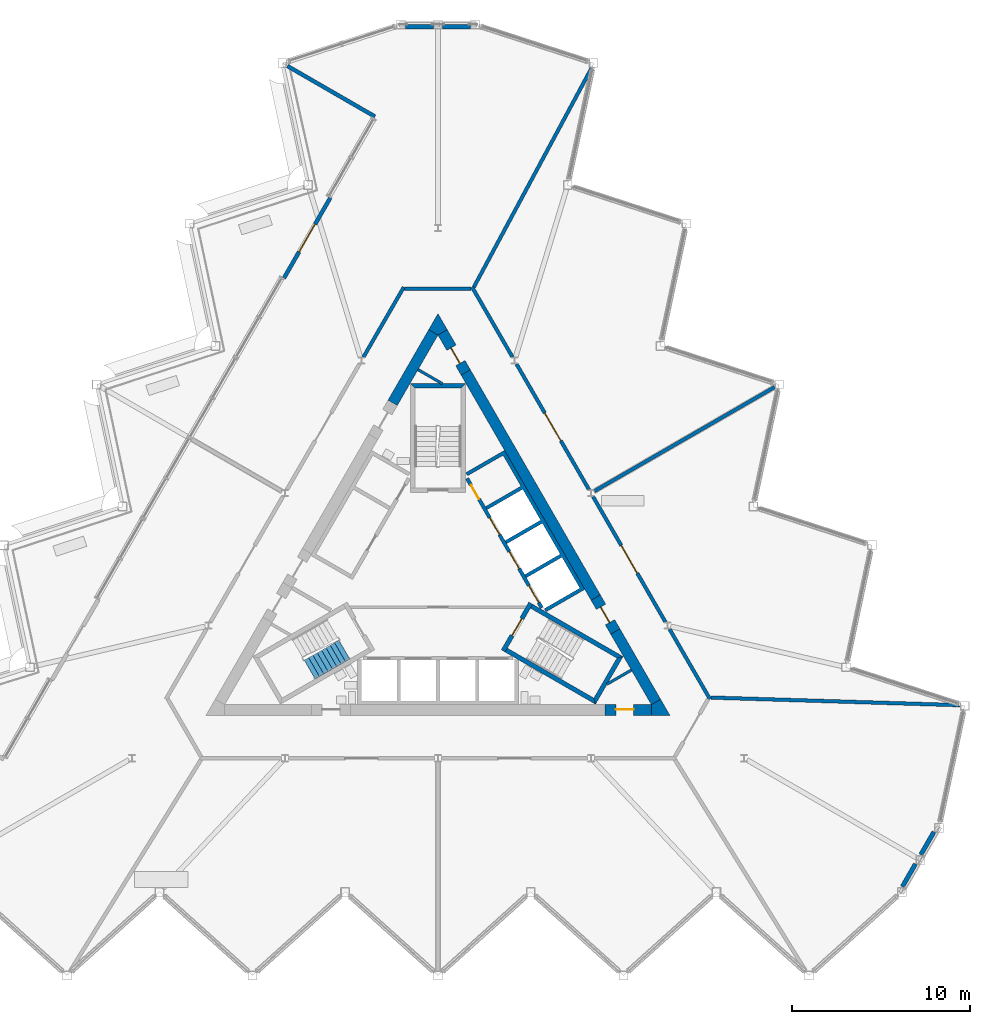
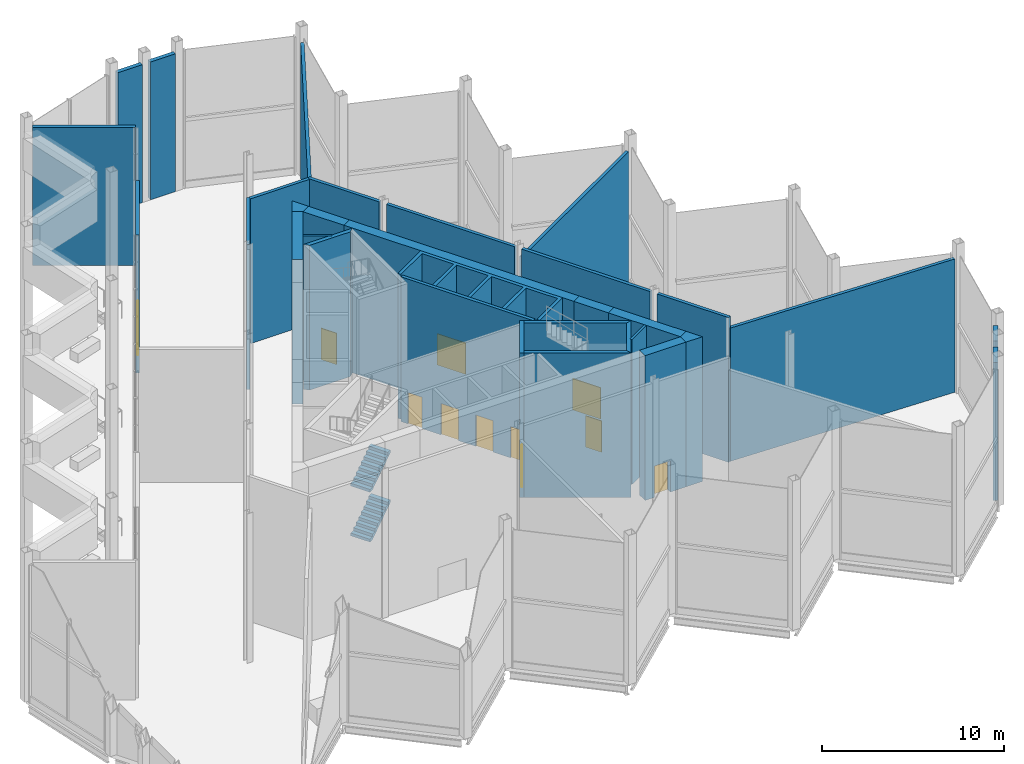
# One storey, part 10 of 18: 32 walls, 11 doors, 2 stair flights, 11 openings, 1 element without a shape of its own.
"""IFC4 building model written with IfcOpenShell, lengths in metres."""

from ifc_helpers import new_model, si_unit, direction, frame, frame_2d, origin, place, context, subcontext, project, spatial, polyline, rectangle, outline, extrude, material, layer, layer_set, type_object, element, fill, aggregate, save


model = new_model("IFC4")

# Units and contexts
model_context = context("Model", 3, precision=1e-05, world=origin(), true_north=direction((0.0, 1.0)))
body_context = subcontext(model_context, "Body", "Model", "MODEL_VIEW")
ifc_project = project(units=[si_unit("LENGTHUNIT", "METRE"), si_unit("AREAUNIT", "SQUARE_METRE"), si_unit("VOLUMEUNIT", "CUBIC_METRE"), si_unit("PLANEANGLEUNIT", "RADIAN"), si_unit("MASSUNIT", "GRAM", prefix="KILO")], contexts=[model_context])

# Site, building, storey
site_placement = place(None, origin())
site = spatial("IfcSite", under=ifc_project, at=site_placement, CompositionType="ELEMENT")
building_placement = place(site_placement, origin())
building = spatial("IfcBuilding", under=site, at=building_placement, Name="Cormorant Prow Tower", CompositionType="ELEMENT")
storey_placement = place(building_placement, frame((0.0, 0.0, 405.199951171875)))
storey = spatial("IfcBuildingStorey", under=building, at=storey_placement, Name="L93", CompositionType="ELEMENT", Elevation=405.199951171875)

# Walls
ifc_material_1 = material(Name="Gypsum board partition")
ifc_layer_1 = layer(ifc_material_1, 0.14990234375)
ifc_layer_set_1 = layer_set([ifc_layer_1], Name="Gypsum board partition")
wall_type_1 = type_object("IfcWallType", Name="Core partition 150", PredefinedType="PARTITIONING", material=ifc_layer_set_1)
wall_1_placement = place(storey_placement, frame((10.841796875, -4.96728515625, 0.0), z_axis=(0.0, 0.0, 1.0), x_axis=(-0.866098216386, -0.499873863663, 0.0)))
element("IfcWall", 1, at=wall_1_placement, inside=storey, type_object=wall_type_1, Name="Service room partition", PredefinedType="PARTITIONING", context=body_context, shape_type="SweptSolid", body=[
    extrude(rectangle(XDim=1.58203125, YDim=0.14990234375, at=frame_2d((0.791015625, 0.0))), origin(), (0.0, 0.0, 1.0), 9.699951171875),
])
wall_2_placement = place(storey_placement, frame((-1.119140625, 11.872802734375, 0.0), z_axis=(0.0, 0.0, 1.0), x_axis=(0.865992812752, -0.500056445075, 0.0)))
element("IfcWall", 2, at=wall_2_placement, inside=storey, type_object=wall_type_1, Name="Service room partition", PredefinedType="PARTITIONING", context=body_context, shape_type="SweptSolid", body=[
    extrude(rectangle(XDim=1.581787109375, YDim=0.14990234375, at=frame_2d((0.791015625, 0.0))), origin(), (0.0, 0.0, 1.0), 9.699951171875),
])
ifc_material_2 = material(Name="Concrete 8000 psi", Category="concrete")
ifc_layer_2 = layer(ifc_material_2, 0.60009765625)
ifc_layer_set_2 = layer_set([ifc_layer_2], Name="Concrete 8000 psi")
wall_type_2 = type_object("IfcWallType", Name="Core shear wall 600", PredefinedType="SHEAR", material=ifc_layer_set_2)
wall_3_placement = place(storey_placement, frame((8.841064453125, -0.902099609375, 0.0), z_axis=(0.0, 0.0, 1.0), x_axis=(-0.499995618375, 0.866027933502, 0.0)))
element("IfcWall", 3, at=wall_3_placement, inside=storey, type_object=wall_type_2, Name="Core wall", PredefinedType="SHEAR", context=body_context, shape_type="SweptSolid", body=[
    extrude(rectangle(XDim=14.570556640625, YDim=0.60009765625, at=frame_2d((7.28515625, 0.0))), origin(), (0.0, 0.0, 1.0), 9.699951171875),
])
for number, where, z_axis, x_axis, name in (
    (4, (12.220703125, -6.755615234375, 0.0), (0.0, 0.0, 1.0), (-0.500020646047, 0.866013483456, 0.0), "Core wall"),
    (5, (-0.259765625, 13.961181640625, 0.0), (0.0, 0.0, 1.0), (-0.499980485389, -0.866036670257, 0.0), "Core wall"),
):
    element("IfcWall", number, at=place(storey_placement, frame(where, z_axis=z_axis, x_axis=x_axis)), inside=storey, type_object=wall_type_2, Name=name, PredefinedType="SHEAR", context=body_context, shape_type="SweptSolid", body=[
        extrude(rectangle(XDim=4.559326171875, YDim=0.60009765625, at=frame_2d((2.27978515625, 0.0))), origin(), (0.0, 0.0, 1.0), 9.699951171875),
    ])
wall_4_placement = place(storey_placement, origin())
element("IfcWall", 6, at=wall_4_placement, inside=storey, type_object=wall_type_2, Name="Core wall corner", PredefinedType="SHEAR", context=body_context, shape_type="SweptSolid", body=[
    extrude(outline(polyline([(11.960693359375, -7.505615234375), (11.960693359375, -6.905517578125), (12.48046875, -6.605712890625), (13.0, -7.505615234375), (11.960693359375, -7.505615234375)])), origin(), (0.0, 0.0, 1.0), 9.699951171875),
])
wall_5_placement = place(storey_placement, origin())
element("IfcWall", 7, at=wall_5_placement, inside=storey, type_object=wall_type_2, Name="Core wall corner", PredefinedType="SHEAR", context=body_context, shape_type="SweptSolid", body=[
    extrude(outline(polyline([(-0.51953125, 14.111083984375), (0.0, 15.010986328125), (0.51953125, 14.111083984375), (0.0, 13.81103515625), (-0.51953125, 14.111083984375)])), origin(), (0.0, 0.0, 1.0), 9.699951171875),
])

# Wall, opening, door
wall_6_placement = place(storey_placement, frame((9.36865234375, -7.20556640625, 0.0), z_axis=(0.0, 0.0, 1.0), x_axis=(1.0, 0.0, 0.0)))
wall_6 = element("IfcWall", 8, at=wall_6_placement, inside=storey, type_object=wall_type_2, Name="Core wall door panel", PredefinedType="SHEAR", context=body_context, shape_type="SweptSolid", body=[
    extrude(rectangle(XDim=2.592041015625, YDim=0.60009765625, at=frame_2d((1.2958984375, 0.0))), origin(), (0.0, 0.0, 1.0), 9.699951171875),
])
opening_1_placement = place(wall_6_placement, frame((0.60009765625, 0.0, 0.0)))
opening_1 = element("IfcOpeningElement", 9, at=opening_1_placement, cuts=wall_6, Name="Opening L93-C15", PredefinedType="OPENING", context=body_context, shape_type="SweptSolid", body=[
    extrude(rectangle(XDim=1.0, YDim=2.10009765625, at=frame_2d((0.5, 1.050048828125))), frame((0.0, 0.31005859375, 0.0), z_axis=(0.0, -1.0, 0.0), x_axis=(1.0, 0.0, 0.0)), (0.0, 0.0, 1.0), 0.6201171875),
])
ifc_material_3 = material(Name="Painted steel", Category="steel")
door_type_1 = type_object("IfcDoorType", Name="Service door 1000x2100", OperationType="NOTDEFINED", PredefinedType="DOOR", material=ifc_material_3)
door_1_placement = place(opening_1_placement, origin())
door_1 = element("IfcDoor", 10, at=door_1_placement, inside=storey, type_object=door_type_1, Name="Core door, Toilets (men) L93", OperationType="SINGLE_SWING_RIGHT", OverallHeight=2.10009765625, OverallWidth=1.0, PredefinedType="DOOR", context=body_context, shape_type="SweptSolid", body=[
    extrude(rectangle(XDim=1.0, YDim=2.10009765625, at=frame_2d((0.5, 1.050048828125))), frame((0.0, 0.05517578125, 0.0), z_axis=(0.0, -1.0, 0.0), x_axis=(1.0, 0.0, 0.0)), (0.0, 0.0, 1.0), 0.050048828125),
])
fill(opening_1, door_1)

wall_7_placement = place(storey_placement, frame((9.94091796875, -2.80712890625, 0.0), z_axis=(0.0, 0.0, 1.0), x_axis=(-0.499994660107, 0.866028486751, 0.0)))
wall_7 = element("IfcWall", 11, at=wall_7_placement, inside=storey, type_object=wall_type_2, Name="Core wall door panel", PredefinedType="SHEAR", context=body_context, shape_type="SweptSolid", body=[
    extrude(rectangle(XDim=2.19970703125, YDim=0.60009765625, at=frame_2d((1.099853515625, 0.0))), origin(), (0.0, 0.0, 1.0), 9.699951171875),
])
opening_2_placement = place(wall_7_placement, frame((0.60009765625, 0.0, 0.0)))
opening_2 = element("IfcOpeningElement", 12, at=opening_2_placement, cuts=wall_7, Name="Opening L93-C17", PredefinedType="OPENING", context=body_context, shape_type="SweptSolid", body=[
    extrude(rectangle(XDim=1.0, YDim=2.10009765625, at=frame_2d((0.5, 1.050048828125))), frame((0.0, 0.31005859375, 0.0), z_axis=(0.0, -1.0, 0.0), x_axis=(1.0, 0.0, 0.0)), (0.0, 0.0, 1.0), 0.6201171875),
])
door_2_placement = place(opening_2_placement, origin())
door_2 = element("IfcDoor", 13, at=door_2_placement, inside=storey, type_object=door_type_1, Name="Core door, Electrical room", OperationType="SINGLE_SWING_LEFT", OverallHeight=2.10009765625, OverallWidth=1.0, PredefinedType="DOOR", context=body_context, shape_type="SweptSolid", body=[
    extrude(rectangle(XDim=1.0, YDim=2.10009765625, at=frame_2d((0.5, 1.050048828125))), frame((0.0, 0.05517578125, 0.0), z_axis=(0.0, -1.0, 0.0), x_axis=(1.0, 0.0, 0.0)), (0.0, 0.0, 1.0), 0.050048828125),
])
fill(opening_2, door_2)

wall_8_placement = place(storey_placement, frame((1.555908203125, 11.71630859375, 0.0), z_axis=(0.0, 0.0, 1.0), x_axis=(-0.500018667571, 0.866014625789, 0.0)))
wall_8 = element("IfcWall", 14, at=wall_8_placement, inside=storey, type_object=wall_type_2, Name="Core wall door panel", PredefinedType="SHEAR", context=body_context, shape_type="SweptSolid", body=[
    extrude(rectangle(XDim=2.59228515625, YDim=0.60009765625, at=frame_2d((1.296142578125, 0.0))), origin(), (0.0, 0.0, 1.0), 9.699951171875),
])
opening_3_placement = place(wall_8_placement, frame((0.60009765625, 0.0, 0.0)))
opening_3 = element("IfcOpeningElement", 15, at=opening_3_placement, cuts=wall_8, Name="Opening L93-C20", PredefinedType="OPENING", context=body_context, shape_type="SweptSolid", body=[
    extrude(rectangle(XDim=1.0, YDim=2.10009765625, at=frame_2d((0.5, 1.050048828125))), frame((0.0, 0.31005859375, 0.0), z_axis=(0.0, -1.0, 0.0), x_axis=(1.0, 0.0, 0.0)), (0.0, 0.0, 1.0), 0.6201171875),
])
door_3_placement = place(opening_3_placement, origin())
door_3 = element("IfcDoor", 16, at=door_3_placement, inside=storey, type_object=door_type_1, Name="Core door, Pantry store", OperationType="SINGLE_SWING_RIGHT", OverallHeight=2.10009765625, OverallWidth=1.0, PredefinedType="DOOR", context=body_context, shape_type="SweptSolid", body=[
    extrude(rectangle(XDim=1.0, YDim=2.10009765625, at=frame_2d((0.5, 1.050048828125))), frame((0.0, 0.05517578125, 0.0), z_axis=(0.0, -1.0, 0.0), x_axis=(1.0, 0.0, 0.0)), (0.0, 0.0, 1.0), 0.050048828125),
])
fill(opening_3, door_3)

ifc_material_4 = material(Name="Gypsum board corridor wall")
ifc_layer_3 = layer(ifc_material_4, 0.199951171875)
ifc_layer_set_3 = layer_set([ifc_layer_3], Name="Gypsum board corridor wall")
wall_type_3 = type_object("IfcWallType", Name="Corridor wall 200", PredefinedType="PARTITIONING", material=ifc_layer_set_3)
wall_9_placement = place(storey_placement, frame((4.403076171875, 12.184814453125, 0.0), z_axis=(0.0, 0.0, 1.0), x_axis=(0.499992155518, -0.866029932751, 0.0)))
wall_9 = element("IfcWall", 17, at=wall_9_placement, inside=storey, type_object=wall_type_3, Name="Corridor wall", PredefinedType="PARTITIONING", context=body_context, shape_type="SweptSolid", body=[
    extrude(rectangle(XDim=8.123291015625, YDim=0.199951171875, at=frame_2d((4.0615234375, 0.0))), origin(), (0.0, 0.0, 1.0), 9.699951171875),
])
opening_4_placement = place(wall_9_placement, frame((3.161865234375, 0.0, 0.0)))
opening_4 = element("IfcOpeningElement", 18, at=opening_4_placement, cuts=wall_9, Name="Opening L93-F05", PredefinedType="OPENING", context=body_context, shape_type="SweptSolid", body=[
    extrude(rectangle(XDim=1.800048828125, YDim=2.10009765625, at=frame_2d((0.89990234375, 1.050048828125))), frame((0.0, 0.10986328125, 0.0), z_axis=(0.0, -1.0, 0.0), x_axis=(1.0, 0.0, 0.0)), (0.0, 0.0, 1.0), 0.219970703125),
])
ifc_material_5 = material(Name="Timber door leaf", Category="wood")
door_type_2 = type_object("IfcDoorType", Name="Double door 1800x2100", OperationType="DOUBLE_DOOR_SINGLE_SWING", PredefinedType="DOOR", material=ifc_material_5)
door_4_placement = place(opening_4_placement, origin())
door_4 = element("IfcDoor", 19, at=door_4_placement, inside=storey, type_object=door_type_2, Name="Property management offices door", OperationType="DOUBLE_DOOR_SINGLE_SWING", OverallHeight=2.10009765625, OverallWidth=1.800048828125, PredefinedType="DOOR", context=body_context, shape_type="SweptSolid", body=[
    extrude(rectangle(XDim=1.800048828125, YDim=2.10009765625, at=frame_2d((0.89990234375, 1.050048828125))), frame((0.0, 0.02490234375, 0.0), z_axis=(0.0, -1.0, 0.0), x_axis=(1.0, 0.0, 0.0)), (0.0, 0.0, 1.0), 0.050048828125),
])
fill(opening_4, door_4)

wall_10_placement = place(storey_placement, frame((8.692138671875, 4.755859375, 0.0), z_axis=(0.0, 0.0, 1.0), x_axis=(0.500001682468, -0.866024432409, 0.0)))
wall_10 = element("IfcWall", 20, at=wall_10_placement, inside=storey, type_object=wall_type_3, Name="Corridor wall", PredefinedType="PARTITIONING", context=body_context, shape_type="SweptSolid", body=[
    extrude(rectangle(XDim=8.12353515625, YDim=0.199951171875, at=frame_2d((4.061767578125, 0.0))), origin(), (0.0, 0.0, 1.0), 9.699951171875),
])
opening_5_placement = place(wall_10_placement, frame((3.161865234375, 0.0, 0.0)))
opening_5 = element("IfcOpeningElement", 21, at=opening_5_placement, cuts=wall_10, Name="Opening L93-F04", PredefinedType="OPENING", context=body_context, shape_type="SweptSolid", body=[
    extrude(rectangle(XDim=1.800048828125, YDim=2.10009765625, at=frame_2d((0.89990234375, 1.050048828125))), frame((0.0, 0.10986328125, 0.0), z_axis=(0.0, -1.0, 0.0), x_axis=(1.0, 0.0, 0.0)), (0.0, 0.0, 1.0), 0.219970703125),
])
door_5_placement = place(opening_5_placement, origin())
door_5 = element("IfcDoor", 22, at=door_5_placement, inside=storey, type_object=door_type_2, Name="Kitchen door", OperationType="DOUBLE_DOOR_SINGLE_SWING", OverallHeight=2.10009765625, OverallWidth=1.800048828125, PredefinedType="DOOR", context=body_context, shape_type="SweptSolid", body=[
    extrude(rectangle(XDim=1.800048828125, YDim=2.10009765625, at=frame_2d((0.89990234375, 1.050048828125))), frame((0.0, 0.02490234375, 0.0), z_axis=(0.0, -1.0, 0.0), x_axis=(1.0, 0.0, 0.0)), (0.0, 0.0, 1.0), 0.050048828125),
])
fill(opening_5, door_5)

# Walls
for number, where, z_axis, x_axis, name in (
    (23, (12.9814453125, -2.67333984375, 0.0), (0.0, 0.0, 1.0), (0.499974648164, -0.866040040179, 0.0), "Corridor wall"),
    (24, (1.9130859375, 16.497802734375, 0.0), (0.0, 0.0, 1.0), (0.499974648164, -0.866040040179, 0.0), "Corridor wall"),
    (25, (-4.175537109375, 12.578857421875, 0.0), (0.0, 0.0, 1.0), (0.499974648164, 0.866040040179, 0.0), "Corridor wall"),
):
    element("IfcWall", number, at=place(storey_placement, frame(where, z_axis=z_axis, x_axis=x_axis)), inside=storey, type_object=wall_type_3, Name=name, PredefinedType="PARTITIONING", context=body_context, shape_type="SweptSolid", body=[
        extrude(rectangle(XDim=4.525146484375, YDim=0.199951171875, at=frame_2d((2.2626953125, 0.0))), origin(), (0.0, 0.0, 1.0), 9.699951171875),
    ])
wall_11_placement = place(storey_placement, frame((-1.863037109375, 16.4111328125, 0.0), z_axis=(0.0, 0.0, 1.0), x_axis=(1.0, 0.0, 0.0)))
element("IfcWall", 26, at=wall_11_placement, inside=storey, type_object=wall_type_3, Name="Corridor wall", PredefinedType="PARTITIONING", context=body_context, shape_type="SweptSolid", body=[
    extrude(rectangle(XDim=3.72607421875, YDim=0.199951171875, at=frame_2d((1.863037109375, 0.0))), origin(), (0.0, 0.0, 1.0), 9.699951171875),
])
ifc_material_6 = material(Name="Gypsum board demising wall")
ifc_layer_4 = layer(ifc_material_6, 0.199951171875)
ifc_layer_set_4 = layer_set([ifc_layer_4], Name="Gypsum board demising wall")
wall_type_4 = type_object("IfcWallType", Name="Demising wall 200", PredefinedType="PARTITIONING", material=ifc_layer_set_4)
wall_12_placement = place(storey_placement, frame((15.293701171875, -6.508544921875, 0.0), z_axis=(0.0, 0.0, 1.0), x_axis=(0.999534054826, -0.03052332293, 0.0)))
element("IfcWall", 27, at=wall_12_placement, inside=storey, type_object=wall_type_4, Name="Demising wall", PredefinedType="PARTITIONING", context=body_context, shape_type="SweptSolid", body=[
    extrude(rectangle(XDim=13.9814453125, YDim=0.199951171875, at=frame_2d((6.99072265625, 0.0))), origin(), (0.0, 0.0, 1.0), 8.93017578125),
])
wall_13_placement = place(storey_placement, frame((2.010498046875, 16.4990234375, 0.0), z_axis=(0.0, 0.0, 1.0), x_axis=(0.473341524228, 0.880878993643, 0.0)))
element("IfcWall", 28, at=wall_13_placement, inside=storey, type_object=wall_type_4, Name="Demising wall", PredefinedType="PARTITIONING", context=body_context, shape_type="SweptSolid", body=[
    extrude(rectangle(XDim=13.961181640625, YDim=0.199951171875, at=frame_2d((6.98046875, 0.0))), origin(), (0.0, 0.0, 1.0), 8.93017578125),
])
wall_14_placement = place(storey_placement, frame((8.775390625, 5.06640625, 0.0), z_axis=(0.0, 0.0, 1.0), x_axis=(0.866023724155, 0.500002909193, 0.0)))
element("IfcWall", 29, at=wall_14_placement, inside=storey, type_object=wall_type_4, Name="Demising wall", PredefinedType="PARTITIONING", context=body_context, shape_type="SweptSolid", body=[
    extrude(rectangle(XDim=11.65478515625, YDim=0.199951171875, at=frame_2d((5.827392578125, 0.0))), origin(), (0.0, 0.0, 1.0), 8.93017578125),
])

# Wall, openings, doors
ifc_material_7 = material(Name="Concrete 5000 psi", Category="concrete")
ifc_layer_5 = layer(ifc_material_7, 0.199951171875)
ifc_layer_set_5 = layer_set([ifc_layer_5], Name="Concrete 5000 psi")
wall_type_5 = type_object("IfcWallType", Name="Lift lobby wall 200", PredefinedType="SOLIDWALL", material=ifc_layer_set_5)
wall_15_placement = place(storey_placement, frame((5.817138671875, -1.4755859375, 0.0), z_axis=(0.0, 0.0, 1.0), x_axis=(-0.500002616675, 0.866023893041, 0.0)))
wall_15 = element("IfcWall", 30, at=wall_15_placement, inside=storey, type_object=wall_type_5, Name="Lift lobby wall, ENE block", PredefinedType="SOLIDWALL", context=body_context, shape_type="SweptSolid", body=[
    extrude(rectangle(XDim=8.373046875, YDim=0.199951171875, at=frame_2d((4.1865234375, 0.0))), origin(), (0.0, 0.0, 1.0), 9.699951171875),
])
opening_6_placement = place(wall_15_placement, frame((0.336669921875, 0.0, 0.0)))
opening_6 = element("IfcOpeningElement", 31, at=opening_6_placement, cuts=wall_15, Name="Opening L93-C05", PredefinedType="OPENING", context=body_context, shape_type="SweptSolid", body=[
    extrude(rectangle(XDim=1.10009765625, YDim=2.10009765625, at=frame_2d((0.550048828125, 1.050048828125))), frame((0.0, 0.10986328125, 0.0), z_axis=(0.0, -1.0, 0.0), x_axis=(1.0, 0.0, 0.0)), (0.0, 0.0, 1.0), 0.219970703125),
])
opening_7_placement = place(wall_15_placement, frame((2.53662109375, 0.0, 0.0)))
opening_7 = element("IfcOpeningElement", 32, at=opening_7_placement, cuts=wall_15, Name="Opening L93-C06", PredefinedType="OPENING", context=body_context, shape_type="SweptSolid", body=[
    extrude(rectangle(XDim=1.10009765625, YDim=2.10009765625, at=frame_2d((0.550048828125, 1.050048828125))), frame((0.0, 0.10986328125, 0.0), z_axis=(0.0, -1.0, 0.0), x_axis=(1.0, 0.0, 0.0)), (0.0, 0.0, 1.0), 0.219970703125),
])
opening_8_placement = place(wall_15_placement, frame((4.736572265625, 0.0, 0.0)))
opening_8 = element("IfcOpeningElement", 33, at=opening_8_placement, cuts=wall_15, Name="Opening L93-C07", PredefinedType="OPENING", context=body_context, shape_type="SweptSolid", body=[
    extrude(rectangle(XDim=1.10009765625, YDim=2.10009765625, at=frame_2d((0.550048828125, 1.050048828125))), frame((0.0, 0.10986328125, 0.0), z_axis=(0.0, -1.0, 0.0), x_axis=(1.0, 0.0, 0.0)), (0.0, 0.0, 1.0), 0.219970703125),
])
opening_9_placement = place(wall_15_placement, frame((7.03662109375, 0.0, 0.0)))
opening_9 = element("IfcOpeningElement", 34, at=opening_9_placement, cuts=wall_15, Name="Opening L93-C08", PredefinedType="OPENING", context=body_context, shape_type="SweptSolid", body=[
    extrude(rectangle(XDim=0.89990234375, YDim=2.10009765625, at=frame_2d((0.449951171875, 1.050048828125))), frame((0.0, 0.10986328125, 0.0), z_axis=(0.0, -1.0, 0.0), x_axis=(1.0, 0.0, 0.0)), (0.0, 0.0, 1.0), 0.219970703125),
])
ifc_material_8 = material(Name="Painted steel", Category="steel")
door_type_3 = type_object("IfcDoorType", Name="Lift landing door 1100x2100", OperationType="SLIDING_TO_LEFT", PredefinedType="DOOR", material=ifc_material_8)
door_6_placement = place(opening_6_placement, origin())
door_6 = element("IfcDoor", 35, at=door_6_placement, inside=storey, type_object=door_type_3, Name="Landing door HR2", OperationType="SLIDING_TO_LEFT", OverallHeight=2.10009765625, OverallWidth=1.10009765625, PredefinedType="DOOR", context=body_context, shape_type="SweptSolid", body=[
    extrude(rectangle(XDim=1.10009765625, YDim=2.10009765625, at=frame_2d((0.550048828125, 1.050048828125))), frame((0.0, 0.02490234375, 0.0), z_axis=(0.0, -1.0, 0.0), x_axis=(1.0, 0.0, 0.0)), (0.0, 0.0, 1.0), 0.050048828125),
])
fill(opening_6, door_6)
door_7_placement = place(opening_7_placement, origin())
door_7 = element("IfcDoor", 36, at=door_7_placement, inside=storey, type_object=door_type_3, Name="Landing door HR3", OperationType="SLIDING_TO_LEFT", OverallHeight=2.10009765625, OverallWidth=1.10009765625, PredefinedType="DOOR", context=body_context, shape_type="SweptSolid", body=[
    extrude(rectangle(XDim=1.10009765625, YDim=2.10009765625, at=frame_2d((0.550048828125, 1.050048828125))), frame((0.0, 0.02490234375, 0.0), z_axis=(0.0, -1.0, 0.0), x_axis=(1.0, 0.0, 0.0)), (0.0, 0.0, 1.0), 0.050048828125),
])
fill(opening_7, door_7)
door_8_placement = place(opening_8_placement, origin())
door_8 = element("IfcDoor", 37, at=door_8_placement, inside=storey, type_object=door_type_3, Name="Landing door HR4", OperationType="SLIDING_TO_LEFT", OverallHeight=2.10009765625, OverallWidth=1.10009765625, PredefinedType="DOOR", context=body_context, shape_type="SweptSolid", body=[
    extrude(rectangle(XDim=1.10009765625, YDim=2.10009765625, at=frame_2d((0.550048828125, 1.050048828125))), frame((0.0, 0.02490234375, 0.0), z_axis=(0.0, -1.0, 0.0), x_axis=(1.0, 0.0, 0.0)), (0.0, 0.0, 1.0), 0.050048828125),
])
fill(opening_8, door_8)
ifc_material_9 = material(Name="Painted steel", Category="steel")
door_type_4 = type_object("IfcDoorType", Name="Service door 900x2100", OperationType="NOTDEFINED", PredefinedType="DOOR", material=ifc_material_9)
door_9_placement = place(opening_9_placement, origin())
door_9 = element("IfcDoor", 38, at=door_9_placement, inside=storey, type_object=door_type_4, Name="Service door, Electrical room", OperationType="SINGLE_SWING_RIGHT", OverallHeight=2.10009765625, OverallWidth=0.89990234375, PredefinedType="DOOR", context=body_context, shape_type="SweptSolid", body=[
    extrude(rectangle(XDim=0.89990234375, YDim=2.10009765625, at=frame_2d((0.449951171875, 1.050048828125))), frame((0.0, 0.02490234375, 0.0), z_axis=(0.0, -1.0, 0.0), x_axis=(1.0, 0.0, 0.0)), (0.0, 0.0, 1.0), 0.050048828125),
])
fill(opening_9, door_9)

# Walls
ifc_material_10 = material(Name="Concrete 8000 psi", Category="concrete")
ifc_layer_6 = layer(ifc_material_10, 0.199951171875)
ifc_layer_set_6 = layer_set([ifc_layer_6], Name="Concrete 8000 psi")
wall_type_6 = type_object("IfcWallType", Name="Lift shaft wall 200", PredefinedType="SHEAR", material=ifc_layer_set_6)
wall_16_placement = place(storey_placement, origin())
element("IfcWall", 39, at=wall_16_placement, inside=storey, type_object=wall_type_6, Name="Lift shaft walls, ENE block", PredefinedType="SHEAR", context=body_context, shape_type="SweptSolid", body=[
    extrude(outline(polyline([(1.560546875, 6.09716796875), (3.730712890625, 7.35009765625), (8.230712890625, -0.444091796875), (6.060546875, -1.697021484375), (5.96044921875, -1.52392578125), (7.952392578125, -0.373779296875), (6.952392578125, 1.358154296875), (4.96044921875, 0.2080078125), (4.860595703125, 0.38134765625), (6.852294921875, 1.53125), (5.852294921875, 3.263427734375), (3.860595703125, 2.11328125), (3.760498046875, 2.28662109375), (5.75244140625, 3.4365234375), (4.75244140625, 5.168701171875), (2.760498046875, 4.018798828125), (2.660400390625, 4.19189453125), (4.65234375, 5.341796875), (3.65234375, 7.073974609375), (1.660400390625, 5.923828125), (1.560546875, 6.09716796875)])), origin(), (0.0, 0.0, 1.0), 9.699951171875),
])
ifc_material_11 = material(Name="Concrete 8000 psi", Category="concrete")
ifc_layer_7 = layer(ifc_material_11, 0.25)
ifc_layer_set_7 = layer_set([ifc_layer_7], Name="Concrete 8000 psi")
wall_type_7 = type_object("IfcWallType", Name="Stair wall 250", PredefinedType="SHEAR", material=ifc_layer_set_7)
wall_17_placement = place(storey_placement, origin())
element("IfcWall", 40, at=wall_17_placement, inside=storey, type_object=wall_type_7, Name="Stair ST2 enclosure wall (flank)", PredefinedType="SHEAR", context=body_context, shape_type="SweptSolid", body=[
    extrude(outline(polyline([(3.76318359375, -3.95556640625), (8.82958984375, -6.880615234375), (8.738037109375, -6.5390625), (3.88818359375, -3.739013671875), (3.76318359375, -3.95556640625)])), origin(), (0.0, 0.0, 1.0), 9.699951171875),
])
wall_18_placement = place(storey_placement, origin())
element("IfcWall", 41, at=wall_18_placement, inside=storey, type_object=wall_type_7, Name="Stair ST2 enclosure wall (end)", PredefinedType="SHEAR", context=body_context, shape_type="SweptSolid", body=[
    extrude(outline(polyline([(8.82958984375, -6.880615234375), (10.37353515625, -4.206298828125), (10.031982421875, -4.2978515625), (8.738037109375, -6.5390625), (8.82958984375, -6.880615234375)])), origin(), (0.0, 0.0, 1.0), 9.699951171875),
])
wall_19_placement = place(storey_placement, origin())
element("IfcWall", 42, at=wall_19_placement, inside=storey, type_object=wall_type_7, Name="Stair ST2 enclosure wall (flank)", PredefinedType="SHEAR", context=body_context, shape_type="SweptSolid", body=[
    extrude(outline(polyline([(10.031982421875, -4.2978515625), (10.37353515625, -4.206298828125), (5.30712890625, -1.28125), (5.18212890625, -1.497802734375), (10.031982421875, -4.2978515625)])), origin(), (0.0, 0.0, 1.0), 9.699951171875),
])

# Wall, opening, door
wall_20_placement = place(storey_placement, frame((3.655029296875, -3.89306640625, 0.0), z_axis=(0.0, 0.0, 1.0), x_axis=(0.499982516597, 0.866035497597, 0.0)))
wall_20 = element("IfcWall", 43, at=wall_20_placement, inside=storey, type_object=wall_type_7, Name="Stair ST2 door wall", PredefinedType="SHEAR", context=body_context, shape_type="SweptSolid", body=[
    extrude(rectangle(XDim=3.087890625, YDim=0.25, at=frame_2d((1.5439453125, 0.0))), origin(), (0.0, 0.0, 1.0), 9.699951171875),
])
opening_10_placement = place(wall_20_placement, frame((0.993896484375, 0.0, 0.0)))
opening_10 = element("IfcOpeningElement", 44, at=opening_10_placement, cuts=wall_20, Name="Opening L93-C13", PredefinedType="OPENING", context=body_context, shape_type="SweptSolid", body=[
    extrude(rectangle(XDim=1.10009765625, YDim=2.10009765625, at=frame_2d((0.550048828125, 1.050048828125))), frame((0.0, 0.135009765625, 0.0), z_axis=(0.0, -1.0, 0.0), x_axis=(1.0, 0.0, 0.0)), (0.0, 0.0, 1.0), 0.27001953125),
])
ifc_material_12 = material(Name="Painted steel", Category="steel")
door_type_5 = type_object("IfcDoorType", Name="Stair door 1100x2100", OperationType="NOTDEFINED", PredefinedType="DOOR", material=ifc_material_12)
door_10_placement = place(opening_10_placement, origin())
door_10 = element("IfcDoor", 45, at=door_10_placement, inside=storey, type_object=door_type_5, Name="Stair ST2 door", OperationType="SINGLE_SWING_RIGHT", OverallHeight=2.10009765625, OverallWidth=1.10009765625, PredefinedType="DOOR", context=body_context, shape_type="SweptSolid", body=[
    extrude(rectangle(XDim=1.10009765625, YDim=2.10009765625, at=frame_2d((0.550048828125, 1.050048828125))), frame((0.0, 0.02490234375, 0.0), z_axis=(0.0, -1.0, 0.0), x_axis=(1.0, 0.0, 0.0)), (0.0, 0.0, 1.0), 0.050048828125),
])
fill(opening_10, door_10)

# Walls
wall_21_placement = place(storey_placement, origin())
element("IfcWall", 46, at=wall_21_placement, inside=storey, type_object=wall_type_7, Name="Stair ST3 enclosure wall (end)", PredefinedType="SHEAR", context=body_context, shape_type="SweptSolid", body=[
    extrude(outline(polyline([(1.5439453125, 11.0869140625), (-1.5439453125, 11.0869140625), (-1.2939453125, 10.8369140625), (1.2939453125, 10.8369140625), (1.5439453125, 11.0869140625)])), origin(), (0.0, 0.0, 1.0), 9.699951171875),
])
ifc_material_13 = material(Name="Terracotta", Category="masonry")
ifc_layer_8 = layer(ifc_material_13, 0.25)
ifc_layer_set_8 = layer_set([ifc_layer_8], Name="Terracotta")
wall_type_8 = type_object("IfcWallType", Name="Terracotta bay wall 250", PredefinedType="SOLIDWALL", material=ifc_layer_set_8)
for number, where, z_axis, x_axis, name in (
    (47, (26.02880859375, -17.105712890625, 0.0), (0.0, 0.0, 1.0), (0.500039236423, 0.86600274944, 0.0), "Terracotta bay wall ESE00"),
    (48, (27.065673828125, -15.309814453125, 0.0), (0.0, 0.0, 1.0), (0.500039236423, 0.86600274944, 0.0), "Terracotta bay wall ESE01"),
):
    element("IfcWall", number, at=place(storey_placement, frame(where, z_axis=z_axis, x_axis=x_axis)), inside=storey, type_object=wall_type_8, Name=name, PredefinedType="SOLIDWALL", context=body_context, shape_type="SweptSolid", body=[
        extrude(rectangle(XDim=1.4677734375, YDim=0.25, at=frame_2d((0.73388671875, 0.0))), origin(), (0.0, 0.0, 1.0), 9.23388671875),
    ])
for number, where, z_axis, x_axis, name in (
    (49, (1.82373046875, 31.094482421875, 0.0), (0.0, 0.0, 1.0), (-1.0, 0.0, 0.0), "Terracotta bay wall N00"),
    (50, (-0.25, 31.094482421875, 0.0), (0.0, 0.0, 1.0), (-1.0, 0.0, 0.0), "Terracotta bay wall N01"),
):
    element("IfcWall", number, at=place(storey_placement, frame(where, z_axis=z_axis, x_axis=x_axis)), inside=storey, type_object=wall_type_8, Name=name, PredefinedType="SOLIDWALL", context=body_context, shape_type="SweptSolid", body=[
        extrude(rectangle(XDim=1.57373046875, YDim=0.25, at=frame_2d((0.786865234375, 0.0))), origin(), (0.0, 0.0, 1.0), 9.23388671875),
    ])

# Wall, opening, door
ifc_material_14 = material(Name="Terracotta", Category="masonry")
ifc_layer_9 = layer(ifc_material_14, 0.219970703125)
ifc_layer_set_9 = layer_set([ifc_layer_9], Name="Terracotta")
wall_type_9 = type_object("IfcWallType", Name="Terracotta loggia wall 220", PredefinedType="SOLIDWALL", material=ifc_layer_set_9)
wall_22_placement = place(storey_placement, frame((-6.037109375, 21.4990234375, 0.0), z_axis=(0.0, 0.0, 1.0), x_axis=(-0.500006934395, -0.866021400173, 0.0)))
wall_22 = element("IfcWall", 51, at=wall_22_placement, inside=storey, type_object=wall_type_9, Name="Terracotta loggia wall WNW02", PredefinedType="SOLIDWALL", context=body_context, shape_type="SweptSolid", body=[
    extrude(rectangle(XDim=5.2001953125, YDim=0.219970703125, at=frame_2d((2.60009765625, 0.0))), origin(), (0.0, 0.0, 1.0), 9.23388671875),
])
opening_11_placement = place(wall_22_placement, frame((1.699951171875, 0.0, 0.0)))
opening_11 = element("IfcOpeningElement", 52, at=opening_11_placement, cuts=wall_22, Name="Opening ED93.01", PredefinedType="OPENING", context=body_context, shape_type="SweptSolid", body=[
    extrude(rectangle(XDim=1.800048828125, YDim=2.39990234375, at=frame_2d((0.89990234375, 1.199951171875))), frame((0.0, 0.119873046875, 0.0), z_axis=(0.0, -1.0, 0.0), x_axis=(1.0, 0.0, 0.0)), (0.0, 0.0, 1.0), 0.239990234375),
])
ifc_material_15 = material(Name="Aluminium 6063-T6", Category="aluminium")
door_type_6 = type_object("IfcDoorType", Name="Terrace door 1800x2400", OperationType="DOUBLE_DOOR_SINGLE_SWING", PredefinedType="DOOR", material=ifc_material_15)
door_11_placement = place(opening_11_placement, origin())
door_11 = element("IfcDoor", 53, at=door_11_placement, inside=storey, type_object=door_type_6, Name="Terrace door WNW02 ED93.01", OperationType="DOUBLE_DOOR_SINGLE_SWING", OverallHeight=2.39990234375, OverallWidth=1.800048828125, PredefinedType="DOOR", context=body_context, shape_type="SweptSolid", body=[
    extrude(rectangle(XDim=1.800048828125, YDim=2.39990234375, at=frame_2d((0.89990234375, 1.199951171875))), frame((0.0, 0.02490234375, 0.0), z_axis=(0.0, -1.0, 0.0), x_axis=(1.0, 0.0, 0.0)), (0.0, 0.0, 1.0), 0.050048828125),
])
fill(opening_11, door_11)

# Wall
wall_23_placement = place(storey_placement, frame((-8.4345703125, 28.887451171875, 0.0), z_axis=(0.0, 0.0, 1.0), x_axis=(0.866018233111, -0.500012419765, 0.0)))
element("IfcWall", 54, at=wall_23_placement, inside=storey, type_object=wall_type_9, Name="Terracotta loggia return WNW west", PredefinedType="SOLIDWALL", context=body_context, shape_type="SweptSolid", body=[
    extrude(rectangle(XDim=5.660400390625, YDim=0.219970703125, at=frame_2d((2.830078125, 0.0))), origin(), (0.0, 0.0, 1.0), 9.23388671875),
])

# Stair, stair flights
ifc_material_16 = material(Name="Exit stair 54 risers")
stair_type = type_object("IfcStairType", Name="Exit stair 54 risers", PredefinedType="HALF_TURN_STAIR", material=ifc_material_16)
stair_placement = place(storey_placement, origin())
stair = element("IfcStair", 55, at=stair_placement, inside=storey, type_object=stair_type, Name="L93 Exit stair ST1", PredefinedType="HALF_TURN_STAIR")
ifc_material_17 = material(Name="Concrete 5000 psi", Category="concrete")
stair_flight_type = type_object("IfcStairFlightType", Name="Stair flight 1219", PredefinedType="STRAIGHT", material=ifc_material_17)
stair_flight_1_placement = place(storey_placement, frame((-7.1884765625, -4.940673828125, 1.666748046875), z_axis=(0.0, 0.0, 1.0), x_axis=(0.866025403784, 0.5, 0.0)))
stair_flight_1 = element("IfcStairFlight", 56, at=stair_flight_1_placement, type_object=stair_flight_type, Name="ST1 flight 2", NumberOfRisers=9, NumberOfTreads=8, PredefinedType="STRAIGHT", RiserHeight=0.185185185, TreadLength=0.28, context=body_context, shape_type="SweptSolid", body=[
    extrude(outline(polyline([(0.0, 0.0), (0.0, 0.185302734375), (0.280029296875, 0.185302734375), (0.280029296875, 0.370361328125), (0.56005859375, 0.370361328125), (0.56005859375, 0.5556640625), (0.840087890625, 0.5556640625), (0.840087890625, 0.74072265625), (1.1201171875, 0.74072265625), (1.1201171875, 0.926025390625), (1.39990234375, 0.926025390625), (1.39990234375, 1.111083984375), (1.679931640625, 1.111083984375), (1.679931640625, 1.29638671875), (1.9599609375, 1.29638671875), (1.9599609375, 1.4814453125), (2.239990234375, 1.4814453125), (2.239990234375, 1.666748046875), (2.239990234375, 1.3017578125), (0.271728515625, 0.0), (0.0, 0.0)])), frame((0.0, 0.609375, 0.0), z_axis=(0.0, -1.0, 0.0), x_axis=(1.0, 0.0, 0.0)), (0.0, 0.0, 1.0), 1.218994140625),
])
stair_flight_2_placement = place(storey_placement, frame((-7.1884765625, -4.940673828125, 5.0), z_axis=(0.0, 0.0, 1.0), x_axis=(0.866025403784, 0.5, 0.0)))
stair_flight_2 = element("IfcStairFlight", 57, at=stair_flight_2_placement, type_object=stair_flight_type, Name="ST1 flight 4", NumberOfRisers=9, NumberOfTreads=8, PredefinedType="STRAIGHT", RiserHeight=0.185185185, TreadLength=0.28, context=body_context, shape_type="SweptSolid", body=[
    extrude(outline(polyline([(0.0, 0.0), (0.0, 0.185302734375), (0.280029296875, 0.185302734375), (0.280029296875, 0.370361328125), (0.56005859375, 0.370361328125), (0.56005859375, 0.5556640625), (0.840087890625, 0.5556640625), (0.840087890625, 0.74072265625), (1.1201171875, 0.74072265625), (1.1201171875, 0.926025390625), (1.39990234375, 0.926025390625), (1.39990234375, 1.111083984375), (1.679931640625, 1.111083984375), (1.679931640625, 1.29638671875), (1.9599609375, 1.29638671875), (1.9599609375, 1.4814453125), (2.239990234375, 1.4814453125), (2.239990234375, 1.666748046875), (2.239990234375, 1.3017578125), (0.271728515625, 0.0), (0.0, 0.0)])), frame((0.0, 0.609375, 0.0), z_axis=(0.0, -1.0, 0.0), x_axis=(1.0, 0.0, 0.0)), (0.0, 0.0, 1.0), 1.218994140625),
])
aggregate(stair, [stair_flight_1, stair_flight_2])

save(model, "model.ifc")
